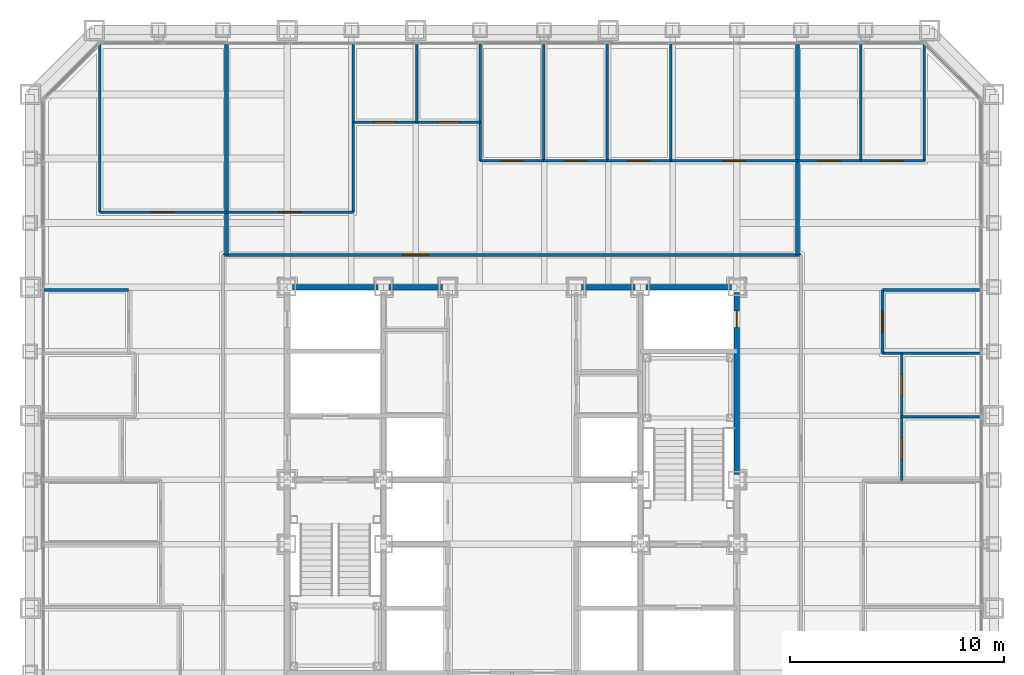
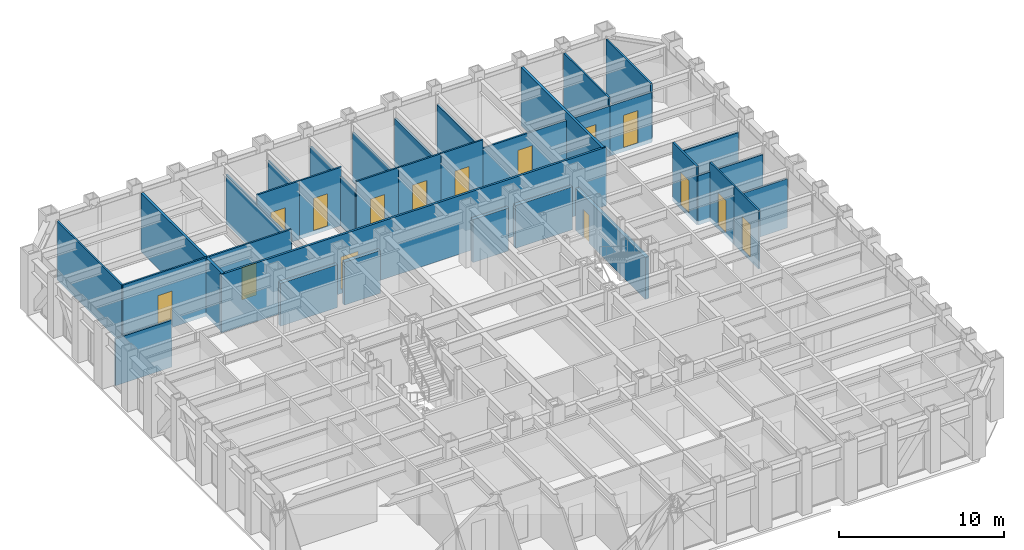
# One storey, part 11 of 16: 34 walls, 15 doors, 15 openings.
"""IFC4 building model written with IfcOpenShell, lengths in metres."""

import ifcopenshell
import ifcopenshell.guid

model = None  # the IFC model being written
_history = None  # IfcOwnerHistory: only IFC2X3 demands one
_inside = {}  # id of a spatial element -> (the spatial element, [elements in it])
_under = {}  # id of a project, library or spatial element -> (it, [spatial elements below it])
_declared = {}  # id of a project -> (the project, [libraries it declares])
_typed = {}  # id of a type object -> (the type object, [elements of that type])
_made_of = {}  # id of a material, layer set ... -> (it, [elements and type objects made of it])


def new_model(schema):
    """Start an empty IFC model of exactly this schema.

    Asked for "IFC4X3", IfcOpenShell would pick the latest addendum, in which some entities
    have other attributes; the version numbers below select the first issue.
    IFC2X3 requires an IfcOwnerHistory on every rooted entity: one is made here for all.
    """
    global model, _history
    if schema == "IFC4X3":
        model = ifcopenshell.file(schema_version=(4, 3, 0, 0))
    else:
        model = ifcopenshell.file(schema=schema)
    _inside.clear()
    _under.clear()
    _declared.clear()
    _typed.clear()
    _made_of.clear()
    _history = None
    if model.schema == "IFC2X3":
        org = make("IfcOrganization", Name="unknown")
        user = make(
            "IfcPersonAndOrganization",
            ThePerson=make("IfcPerson", FamilyName="unknown"),
            TheOrganization=org,
        )
        app = make(
            "IfcApplication",
            ApplicationDeveloper=org,
            Version="unknown",
            ApplicationFullName="unknown",
            ApplicationIdentifier="unknown",
        )
        _history = make(
            "IfcOwnerHistory",
            OwningUser=user,
            OwningApplication=app,
            ChangeAction="ADDED",
            CreationDate=0,
        )
    return model


def make(cls, **values):
    """One entity of the class cls with the attributes given. An attribute that is None is left unset."""
    return model.create_entity(
        cls, **{name: value for name, value in values.items() if value is not None}
    )


def rooted(cls, **values):
    """An entity with a GlobalId (a new one), such as an element, a storey or a relation."""
    return make(cls, GlobalId=ifcopenshell.guid.new(), OwnerHistory=_history, **values)


def si_unit(unit_type, name, prefix=None):
    """IfcSIUnit, for example si_unit("LENGTHUNIT", "METRE", prefix="MILLI")."""
    return make("IfcSIUnit", UnitType=unit_type, Prefix=prefix, Name=name)


def assignment(units):
    """IfcUnitAssignment: the units of a project."""
    return None if units is None else make("IfcUnitAssignment", Units=units)


def point(xyz):
    """IfcCartesianPoint."""
    return None if xyz is None else make("IfcCartesianPoint", Coordinates=xyz)


def direction(xyz):
    """IfcDirection."""
    return None if xyz is None else make("IfcDirection", DirectionRatios=xyz)


def frame(location, z_axis=None, x_axis=None):
    """IfcAxis2Placement3D, a coordinate frame: its origin and axes. An axis left out is left unset."""
    return make(
        "IfcAxis2Placement3D",
        Location=point(location),
        Axis=direction(z_axis),
        RefDirection=direction(x_axis),
    )


def frame_2d(location, x_axis=None):
    """IfcAxis2Placement2D, a coordinate frame in the plane: its origin and x axis."""
    return make(
        "IfcAxis2Placement2D", Location=point(location), RefDirection=direction(x_axis)
    )


def origin():
    """The frame at (0, 0, 0) with its axes left unset."""
    return frame((0.0, 0.0, 0.0))


def place(relative_to, where):
    """IfcLocalPlacement: puts the frame where relative to a parent placement (None: the world)."""
    return make(
        "IfcLocalPlacement", PlacementRelTo=relative_to, RelativePlacement=where
    )


def context(
    kind, dimensions, precision=None, world=None, true_north=None, identifier=None
):
    """IfcGeometricRepresentationContext, for example the 3D "Model" context."""
    return make(
        "IfcGeometricRepresentationContext",
        ContextIdentifier=identifier,
        ContextType=kind,
        CoordinateSpaceDimension=dimensions,
        Precision=precision,
        WorldCoordinateSystem=world,
        TrueNorth=true_north,
    )


def subcontext(parent, identifier, kind, view, scale=None):
    """IfcGeometricRepresentationSubContext, for example "Body" below "Model"."""
    return make(
        "IfcGeometricRepresentationSubContext",
        ContextIdentifier=identifier,
        ContextType=kind,
        ParentContext=parent,
        TargetScale=scale,
        TargetView=view,
    )


def project(units=None, contexts=None):
    """IfcProject with its units and contexts."""
    return rooted(
        "IfcProject",
        Name="project",
        RepresentationContexts=contexts,
        UnitsInContext=assignment(units),
    )


def spatial(cls, under=None, at=None, **own):
    """A site, building, storey or space (cls), placed at a placement, below another one or the project."""
    s = rooted(cls, ObjectPlacement=at, **own)
    if under is not None:
        _under.setdefault(under.id(), (under, []))[1].append(s)
    return s


def profile(cls, at=None, kind="AREA", **sizes):
    """A parametric profile (cls). Its sizes go by their IFC names, for example OverallWidth=200.0."""
    return make(cls, ProfileType=kind, Position=at, **sizes)


def rectangle(**sizes):
    """IfcRectangleProfileDef."""
    return profile("IfcRectangleProfileDef", **sizes)


def extrude(swept, where, along, depth):
    """IfcExtrudedAreaSolid: the profile swept, set in the frame where, extruded along a direction by depth."""
    return make(
        "IfcExtrudedAreaSolid",
        SweptArea=swept,
        Position=where,
        ExtrudedDirection=direction(along),
        Depth=depth,
    )


def shape(context_of_items, identifier, shape_type, items):
    """IfcShapeRepresentation: the items that make up one representation, for example the "Body"."""
    return make(
        "IfcShapeRepresentation",
        ContextOfItems=context_of_items,
        RepresentationIdentifier=identifier,
        RepresentationType=shape_type,
        Items=items,
    )


def material(Name=None, Category=None):
    """IfcMaterial."""
    return make("IfcMaterial", Name=Name, Category=Category)


def layer(
    of_material, thickness, ventilated=None, Name=None, Category=None, Priority=None
):
    """IfcMaterialLayer: one layer of a wall or slab, of a material (None: an air gap)."""
    return make(
        "IfcMaterialLayer",
        Material=of_material,
        LayerThickness=thickness,
        IsVentilated=ventilated,
        Name=Name,
        Category=Category,
        Priority=Priority,
    )


def layer_set(layers, Name=None):
    """IfcMaterialLayerSet."""
    return make("IfcMaterialLayerSet", MaterialLayers=layers, LayerSetName=Name)


def made_of(thing, what):
    """Note that an element or type object is made of a material, layer set ...; save() writes the relation."""
    if what is not None:
        _made_of.setdefault(what.id(), (what, []))[1].append(thing)
    return thing


def type_object(cls, material=None, **own):
    """A type object (cls), such as IfcWallType, which elements share."""
    return made_of(rooted(cls, **own), material)


def element(
    cls,
    number,
    at=None,
    inside=None,
    cuts=None,
    type_object=None,
    material=None,
    context=None,
    identifier="Body",
    shape_type=None,
    held_by="IfcProductDefinitionShape",
    body=None,
    shapes=None,
    **own,
):
    """One element of the class cls, such as IfcWall. Its Tag is "e" and its number.

    at: its placement. inside: the storey or other place that contains it. cuts: it is an
    opening in that element (IfcRelVoidsElement). A single representation is given by context,
    identifier, shape_type and body (its items); several are given by shapes. held_by: the class
    of the entity that holds the representations. save() writes the other relations.
    """
    e = rooted(cls, Tag="e%d" % number, ObjectPlacement=at, **own)
    if body is not None:
        shapes = [shape(context, identifier, shape_type, body)]
    if shapes is not None:
        e.Representation = make(held_by, Representations=shapes)
    if inside is not None:
        _inside.setdefault(inside.id(), (inside, []))[1].append(e)
    if cuts is not None:
        rooted(
            "IfcRelVoidsElement", RelatingBuildingElement=cuts, RelatedOpeningElement=e
        )
    if type_object is not None:
        _typed.setdefault(type_object.id(), (type_object, []))[1].append(e)
    return made_of(e, material)


def fill(opening, filler):
    """IfcRelFillsElement: the door or window that sits in an opening."""
    return rooted(
        "IfcRelFillsElement",
        RelatingOpeningElement=opening,
        RelatedBuildingElement=filler,
    )


def aggregate(whole, parts):
    """IfcRelAggregates: a whole, such as a stair, and the parts it consists of."""
    return rooted("IfcRelAggregates", RelatingObject=whole, RelatedObjects=parts)


def save(model, path):
    """Write the relations noted so far, then the file.

    IfcRelAggregates (storeys below a building ...), IfcRelContainedInSpatialStructure (elements
    in a storey), IfcRelDefinesByType, IfcRelAssociatesMaterial and IfcRelDeclares: one each for
    every whole, place, type object, material and project.
    """
    for whole, parts in _under.values():
        aggregate(whole, parts)
    for where, things in _inside.values():
        rooted(
            "IfcRelContainedInSpatialStructure",
            RelatedElements=things,
            RelatingStructure=where,
        )
    for kind, things in _typed.values():
        rooted("IfcRelDefinesByType", RelatedObjects=things, RelatingType=kind)
    for what, things in _made_of.values():
        rooted("IfcRelAssociatesMaterial", RelatedObjects=things, RelatingMaterial=what)
    for by, libraries in _declared.values():
        rooted("IfcRelDeclares", RelatingContext=by, RelatedDefinitions=libraries)
    model.write(path)


model = new_model("IFC4")

# Units and contexts
model_context = context("Model", 3, precision=1e-05, world=origin(), true_north=direction((0.0, 1.0)))
body_context = subcontext(model_context, "Body", "Model", "MODEL_VIEW")
ifc_project = project(units=[si_unit("LENGTHUNIT", "METRE"), si_unit("AREAUNIT", "SQUARE_METRE"), si_unit("VOLUMEUNIT", "CUBIC_METRE"), si_unit("PLANEANGLEUNIT", "RADIAN"), si_unit("MASSUNIT", "GRAM", prefix="KILO")], contexts=[model_context])

# Site, building, storey
site_placement = place(None, origin())
site = spatial("IfcSite", under=ifc_project, at=site_placement, CompositionType="ELEMENT")
building_placement = place(site_placement, origin())
building = spatial("IfcBuilding", under=site, at=building_placement, Name="Chuquiago Exchange Tower", CompositionType="ELEMENT")
storey_placement = place(building_placement, frame((0.0, 0.0, 78.300048828125)))
storey = spatial("IfcBuildingStorey", under=building, at=storey_placement, Name="L16", CompositionType="ELEMENT", Elevation=78.300048828125)

# Walls
ifc_material_1 = material(Name="Concrete masonry, fully grouted", Category="masonry")
ifc_layer_1 = layer(ifc_material_1, 0.25)
ifc_layer_set_1 = layer_set([ifc_layer_1], Name="W1 core wall 250")
wall_type_1 = type_object("IfcWallType", Name="W1 core wall 250", PredefinedType="SOLIDWALL", material=ifc_layer_set_1)
wall_1_placement = place(storey_placement, frame((12.25, 33.0, 0.0), z_axis=(0.0, 0.0, 1.0), x_axis=(1.0, 0.0, 0.0)))
element("IfcWall", 1, at=wall_1_placement, inside=storey, type_object=wall_type_1, Name="CW-L16-11-0", PredefinedType="SOLIDWALL", context=body_context, shape_type="SweptSolid", body=[
    extrude(rectangle(XDim=4.0, YDim=0.25, at=frame_2d((2.0, 0.0))), origin(), (0.0, 0.0, 1.0), 3.181396484375),
])
for number, where, z_axis, x_axis, name in (
    (2, (16.75, 33.0, 0.0), (0.0, 0.0, 1.0), (1.0, 0.0, 0.0), "CW-L16-11-1"),
    (3, (25.75, 33.0, 0.0), (0.0, 0.0, 1.0), (1.0, 0.0, 0.0), "CW-L16-12-0"),
):
    element("IfcWall", number, at=place(storey_placement, frame(where, z_axis=z_axis, x_axis=x_axis)), inside=storey, type_object=wall_type_1, Name=name, PredefinedType="SOLIDWALL", context=body_context, shape_type="SweptSolid", body=[
        extrude(rectangle(XDim=2.5, YDim=0.25, at=frame_2d((1.25, 0.0))), origin(), (0.0, 0.0, 1.0), 3.181396484375),
    ])
wall_2_placement = place(storey_placement, frame((28.75, 33.0, 0.0), z_axis=(0.0, 0.0, 1.0), x_axis=(1.0, 0.0, 0.0)))
element("IfcWall", 4, at=wall_2_placement, inside=storey, type_object=wall_type_1, Name="CW-L16-12-1", PredefinedType="SOLIDWALL", context=body_context, shape_type="SweptSolid", body=[
    extrude(rectangle(XDim=4.0, YDim=0.25, at=frame_2d((2.0, 0.0))), origin(), (0.0, 0.0, 1.0), 3.181396484375),
])

# Wall, opening, door
wall_3_placement = place(storey_placement, frame((33.0, 24.25, 0.0), z_axis=(0.0, 0.0, 1.0), x_axis=(0.0, 1.0, 0.0)))
wall_3 = element("IfcWall", 5, at=wall_3_placement, inside=storey, type_object=wall_type_1, Name="CW-L16-25-2", PredefinedType="SOLIDWALL", context=body_context, shape_type="SweptSolid", body=[
    extrude(rectangle(XDim=8.5, YDim=0.25, at=frame_2d((4.25, 0.0))), origin(), (0.0, 0.0, 1.0), 3.11279296875),
])
opening_1_placement = place(wall_3_placement, frame((6.875, 0.0, 0.0)))
opening_1 = element("IfcOpeningElement", 6, at=opening_1_placement, cuts=wall_3, Name="Opening L16-010", PredefinedType="OPENING", context=body_context, shape_type="SweptSolid", body=[
    extrude(rectangle(XDim=0.75, YDim=2.10009765625, at=frame_2d((0.375, 1.050048828125))), frame((0.0, 0.135009765625, 0.0), z_axis=(0.0, -1.0, 0.0), x_axis=(1.0, 0.0, 0.0)), (0.0, 0.0, 1.0), 0.27001953125),
])
ifc_material_2 = material(Name="Steel door, painted", Category="steel")
door_type_1 = type_object("IfcDoorType", Name="D6 riser access door 750x2100", OperationType="SINGLE_SWING_LEFT", PredefinedType="DOOR", material=ifc_material_2)
door_1_placement = place(opening_1_placement, frame((0.75, 0.0, 0.0), z_axis=(0.0, 0.0, 1.0), x_axis=(-1.0, 0.0, 0.0)))
door_1 = element("IfcDoor", 7, at=door_1_placement, inside=storey, type_object=door_type_1, Name="Riser RE2 door", OperationType="SINGLE_SWING_LEFT", OverallHeight=2.10009765625, OverallWidth=0.75, PredefinedType="DOOR", context=body_context, shape_type="SweptSolid", body=[
    extrude(rectangle(XDim=0.75, YDim=2.10009765625, at=frame_2d((0.375, 1.050048828125))), frame((0.0, 0.02490234375, 0.0), z_axis=(0.0, -1.0, 0.0), x_axis=(1.0, 0.0, 0.0)), (0.0, 0.0, 1.0), 0.050048828125),
])
fill(opening_1, door_1)

ifc_material_3 = material(Name="Gypsum board on steel studs, acoustic insulation", Category="steel")
ifc_layer_2 = layer(ifc_material_3, 0.14990234375)
ifc_layer_set_2 = layer_set([ifc_layer_2], Name="W11 corridor wall 150")
wall_type_2 = type_object("IfcWallType", Name="W11 corridor wall 150", PredefinedType="PARTITIONING", material=ifc_layer_set_2)
wall_4_placement = place(storey_placement, frame((9.0, 34.5, -0.300048828125), z_axis=(0.0, 0.0, 1.0), x_axis=(1.0, 0.0, 0.0)))
wall_4 = element("IfcWall", 8, at=wall_4_placement, inside=storey, type_object=wall_type_2, Name="PW-L16-CN", PredefinedType="PARTITIONING", context=body_context, shape_type="SweptSolid", body=[
    extrude(rectangle(XDim=27.0, YDim=0.14990234375, at=frame_2d((13.5, 0.0))), origin(), (0.0, 0.0, 1.0), 4.340087890625),
])
opening_2_placement = place(wall_4_placement, frame((8.39990234375, 0.0, 0.300048828125)))
opening_2 = element("IfcOpeningElement", 9, at=opening_2_placement, cuts=wall_4, Name="Opening L16-057", PredefinedType="OPENING", context=body_context, shape_type="SweptSolid", body=[
    extrude(rectangle(XDim=1.199951171875, YDim=2.39990234375, at=frame_2d((0.60009765625, 1.199951171875))), frame((0.0, 0.0849609375, 0.0), z_axis=(0.0, -1.0, 0.0), x_axis=(1.0, 0.0, 0.0)), (0.0, 0.0, 1.0), 0.169921875),
])
ifc_material_4 = material(Name="Timber door, laminate faced", Category="wood")
door_type_2 = type_object("IfcDoorType", Name="D13 suite entrance door 1200x2400", OperationType="SINGLE_SWING_LEFT", PredefinedType="DOOR", material=ifc_material_4)
door_2_placement = place(opening_2_placement, origin())
door_2 = element("IfcDoor", 10, at=door_2_placement, inside=storey, type_object=door_type_2, Name="North suite entrance door", OperationType="SINGLE_SWING_LEFT", OverallHeight=2.39990234375, OverallWidth=1.199951171875, PredefinedType="DOOR", context=body_context, shape_type="SweptSolid", body=[
    extrude(rectangle(XDim=1.199951171875, YDim=2.39990234375, at=frame_2d((0.60009765625, 1.199951171875))), frame((0.0, 0.02490234375, 0.0), z_axis=(0.0, -1.0, 0.0), x_axis=(1.0, 0.0, 0.0)), (0.0, 0.0, 1.0), 0.050048828125),
])
fill(opening_2, door_2)

# Walls
ifc_material_5 = material(Name="Gypsum board on twin steel studs, acoustic insulation", Category="steel")
ifc_layer_3 = layer(ifc_material_5, 0.175048828125)
ifc_layer_set_3 = layer_set([ifc_layer_3], Name="W12 tenant demising wall 175")
wall_type_3 = type_object("IfcWallType", Name="W12 tenant demising wall 175", PredefinedType="PARTITIONING", material=ifc_layer_set_3)
for number, where, z_axis, x_axis, name in (
    (11, (9.172119140625, 44.342529296875, -0.300048828125), (0.0, 0.0, 1.0), (0.0, -1.0, 0.0), "PW-L16-DN00917"),
    (12, (35.827880859375, 44.342529296875, -0.300048828125), (0.0, 0.0, 1.0), (0.0, -1.0, 0.0), "PW-L16-DN03583"),
):
    element("IfcWall", number, at=place(storey_placement, frame(where, z_axis=z_axis, x_axis=x_axis)), inside=storey, type_object=wall_type_3, Name=name, PredefinedType="PARTITIONING", context=body_context, shape_type="SweptSolid", body=[
        extrude(rectangle(XDim=9.842529296875, YDim=0.175048828125, at=frame_2d((4.92138671875, 0.0))), origin(), (0.0, 0.0, 1.0), 4.340087890625),
    ])
ifc_material_6 = material(Name="Gypsum board on steel studs", Category="steel")
ifc_layer_4 = layer(ifc_material_6, 0.1201171875)
ifc_layer_set_4 = layer_set([ifc_layer_4], Name="W4 partition 120")
wall_type_4 = type_object("IfcWallType", Name="W4 partition 120", PredefinedType="PARTITIONING", material=ifc_layer_set_4)
wall_5_placement = place(storey_placement, frame((44.342529296875, 26.942626953125, -0.300048828125), z_axis=(0.0, 0.0, 1.0), x_axis=(-1.0, 0.0, 0.0)))
element("IfcWall", 13, at=wall_5_placement, inside=storey, type_object=wall_type_4, Name="PW-L16-E02694", PredefinedType="PARTITIONING", context=body_context, shape_type="SweptSolid", body=[
    extrude(rectangle(XDim=3.642578125, YDim=0.1201171875, at=frame_2d((1.8212890625, 0.0))), origin(), (0.0, 0.0, 1.0), 3.646484375),
])
wall_6_placement = place(storey_placement, frame((44.342529296875, 29.904296875, -0.300048828125), z_axis=(0.0, 0.0, 1.0), x_axis=(-1.0, 0.0, 0.0)))
element("IfcWall", 14, at=wall_6_placement, inside=storey, type_object=wall_type_4, Name="PW-L16-E02990", PredefinedType="PARTITIONING", context=body_context, shape_type="SweptSolid", body=[
    extrude(rectangle(XDim=4.54248046875, YDim=0.1201171875, at=frame_2d((2.271240234375, 0.0))), origin(), (0.0, 0.0, 1.0), 3.646484375),
])
wall_7_placement = place(storey_placement, frame((44.342529296875, 32.8662109375, -0.300048828125), z_axis=(0.0, 0.0, 1.0), x_axis=(-1.0, 0.0, 0.0)))
element("IfcWall", 15, at=wall_7_placement, inside=storey, type_object=wall_type_4, Name="PW-L16-E03287", PredefinedType="PARTITIONING", context=body_context, shape_type="SweptSolid", body=[
    extrude(rectangle(XDim=4.54248046875, YDim=0.1201171875, at=frame_2d((2.271240234375, 0.0))), origin(), (0.0, 0.0, 1.0), 3.4814453125),
])

# Wall, opening, door
wall_8_placement = place(storey_placement, frame((40.699951171875, 23.98095703125, -0.300048828125), z_axis=(0.0, 0.0, 1.0), x_axis=(0.0, 1.0, 0.0)))
wall_8 = element("IfcWall", 16, at=wall_8_placement, inside=storey, type_object=wall_type_4, Name="PW-L16-EF02398", PredefinedType="PARTITIONING", context=body_context, shape_type="SweptSolid", body=[
    extrude(rectangle(XDim=2.961669921875, YDim=0.1201171875, at=frame_2d((1.48095703125, 0.0))), origin(), (0.0, 0.0, 1.0), 4.340087890625),
])
opening_3_placement = place(wall_8_placement, frame((0.98095703125, 0.0, 0.300048828125)))
opening_3 = element("IfcOpeningElement", 17, at=opening_3_placement, cuts=wall_8, Name="Opening L16-037", PredefinedType="OPENING", context=body_context, shape_type="SweptSolid", body=[
    extrude(rectangle(XDim=1.0, YDim=2.39990234375, at=frame_2d((0.5, 1.199951171875))), frame((0.0, 0.070068359375, 0.0), z_axis=(0.0, -1.0, 0.0), x_axis=(1.0, 0.0, 0.0)), (0.0, 0.0, 1.0), 0.14013671875),
])
ifc_material_7 = material(Name="Timber frame door, full height glazed panel", Category="wood")
door_type_3 = type_object("IfcDoorType", Name="D14 glazed meeting room door 1000x2400", OperationType="SINGLE_SWING_LEFT", PredefinedType="DOOR", material=ifc_material_7)
door_3_placement = place(opening_3_placement, frame((1.0, 0.0, 0.0), z_axis=(0.0, 0.0, 1.0), x_axis=(-1.0, 0.0, 0.0)))
door_3 = element("IfcDoor", 18, at=door_3_placement, inside=storey, type_object=door_type_3, Name="Focus room door", OperationType="SINGLE_SWING_LEFT", OverallHeight=2.39990234375, OverallWidth=1.0, PredefinedType="DOOR", context=body_context, shape_type="SweptSolid", body=[
    extrude(rectangle(XDim=1.0, YDim=2.39990234375, at=frame_2d((0.5, 1.199951171875))), frame((0.0, 0.02490234375, 0.0), z_axis=(0.0, -1.0, 0.0), x_axis=(1.0, 0.0, 0.0)), (0.0, 0.0, 1.0), 0.050048828125),
])
fill(opening_3, door_3)

wall_9_placement = place(storey_placement, frame((40.699951171875, 26.942626953125, -0.300048828125), z_axis=(0.0, 0.0, 1.0), x_axis=(0.0, 1.0, 0.0)))
wall_9 = element("IfcWall", 19, at=wall_9_placement, inside=storey, type_object=wall_type_4, Name="PW-L16-EF02694", PredefinedType="PARTITIONING", context=body_context, shape_type="SweptSolid", body=[
    extrude(rectangle(XDim=2.961669921875, YDim=0.1201171875, at=frame_2d((1.48095703125, 0.0))), origin(), (0.0, 0.0, 1.0), 4.340087890625),
])
opening_4_placement = place(wall_9_placement, frame((0.98095703125, 0.0, 0.300048828125)))
opening_4 = element("IfcOpeningElement", 20, at=opening_4_placement, cuts=wall_9, Name="Opening L16-038", PredefinedType="OPENING", context=body_context, shape_type="SweptSolid", body=[
    extrude(rectangle(XDim=1.0, YDim=2.39990234375, at=frame_2d((0.5, 1.199951171875))), frame((0.0, 0.070068359375, 0.0), z_axis=(0.0, -1.0, 0.0), x_axis=(1.0, 0.0, 0.0)), (0.0, 0.0, 1.0), 0.14013671875),
])
door_4_placement = place(opening_4_placement, frame((1.0, 0.0, 0.0), z_axis=(0.0, 0.0, 1.0), x_axis=(-1.0, 0.0, 0.0)))
door_4 = element("IfcDoor", 21, at=door_4_placement, inside=storey, type_object=door_type_3, Name="Focus room door", OperationType="SINGLE_SWING_RIGHT", OverallHeight=2.39990234375, OverallWidth=1.0, PredefinedType="DOOR", context=body_context, shape_type="SweptSolid", body=[
    extrude(rectangle(XDim=1.0, YDim=2.39990234375, at=frame_2d((0.5, 1.199951171875))), frame((0.0, 0.02490234375, 0.0), z_axis=(0.0, -1.0, 0.0), x_axis=(1.0, 0.0, 0.0)), (0.0, 0.0, 1.0), 0.050048828125),
])
fill(opening_4, door_4)

wall_10_placement = place(storey_placement, frame((39.800048828125, 29.904296875, -0.300048828125), z_axis=(0.0, 0.0, 1.0), x_axis=(0.0, 1.0, 0.0)))
wall_10 = element("IfcWall", 22, at=wall_10_placement, inside=storey, type_object=wall_type_4, Name="PW-L16-EF02990", PredefinedType="PARTITIONING", context=body_context, shape_type="SweptSolid", body=[
    extrude(rectangle(XDim=2.9619140625, YDim=0.1201171875, at=frame_2d((1.48095703125, 0.0))), origin(), (0.0, 0.0, 1.0), 4.340087890625),
])
opening_5_placement = place(wall_10_placement, frame((0.98095703125, 0.0, 0.300048828125)))
opening_5 = element("IfcOpeningElement", 23, at=opening_5_placement, cuts=wall_10, Name="Opening L16-039", PredefinedType="OPENING", context=body_context, shape_type="SweptSolid", body=[
    extrude(rectangle(XDim=1.0, YDim=2.39990234375, at=frame_2d((0.5, 1.199951171875))), frame((0.0, 0.070068359375, 0.0), z_axis=(0.0, -1.0, 0.0), x_axis=(1.0, 0.0, 0.0)), (0.0, 0.0, 1.0), 0.14013671875),
])
ifc_material_8 = material(Name="Timber door, laminate faced", Category="wood")
door_type_4 = type_object("IfcDoorType", Name="D9 room door 1000x2400", OperationType="SINGLE_SWING_LEFT", PredefinedType="DOOR", material=ifc_material_8)
door_5_placement = place(opening_5_placement, frame((1.0, 0.0, 0.0), z_axis=(0.0, 0.0, 1.0), x_axis=(-1.0, 0.0, 0.0)))
door_5 = element("IfcDoor", 24, at=door_5_placement, inside=storey, type_object=door_type_4, Name="Comms room door", OperationType="SINGLE_SWING_RIGHT", OverallHeight=2.39990234375, OverallWidth=1.0, PredefinedType="DOOR", context=body_context, shape_type="SweptSolid", body=[
    extrude(rectangle(XDim=1.0, YDim=2.39990234375, at=frame_2d((0.5, 1.199951171875))), frame((0.0, 0.02490234375, 0.0), z_axis=(0.0, -1.0, 0.0), x_axis=(1.0, 0.0, 0.0)), (0.0, 0.0, 1.0), 0.050048828125),
])
fill(opening_5, door_5)

# Walls
wall_11_placement = place(storey_placement, frame((3.24853515625, 44.333984375, -0.300048828125), z_axis=(0.0, 0.0, 1.0), x_axis=(0.0, -1.0, 0.0)))
element("IfcWall", 25, at=wall_11_placement, inside=storey, type_object=wall_type_4, Name="PW-L16-N00325", PredefinedType="PARTITIONING", context=body_context, shape_type="SweptSolid", body=[
    extrude(rectangle(XDim=7.833984375, YDim=0.1201171875, at=frame_2d((3.9169921875, 0.0))), origin(), (0.0, 0.0, 1.0), 4.340087890625),
])
wall_12_placement = place(storey_placement, frame((15.095703125, 44.342529296875, -0.300048828125), z_axis=(0.0, 0.0, 1.0), x_axis=(0.0, -1.0, 0.0)))
element("IfcWall", 26, at=wall_12_placement, inside=storey, type_object=wall_type_4, Name="PW-L16-N01510", PredefinedType="PARTITIONING", context=body_context, shape_type="SweptSolid", body=[
    extrude(rectangle(XDim=7.842529296875, YDim=0.1201171875, at=frame_2d((3.92138671875, 0.0))), origin(), (0.0, 0.0, 1.0), 3.646484375),
])
wall_13_placement = place(storey_placement, frame((18.057373046875, 44.342529296875, -0.300048828125), z_axis=(0.0, 0.0, 1.0), x_axis=(0.0, -1.0, 0.0)))
element("IfcWall", 27, at=wall_13_placement, inside=storey, type_object=wall_type_4, Name="PW-L16-N01806", PredefinedType="PARTITIONING", context=body_context, shape_type="SweptSolid", body=[
    extrude(rectangle(XDim=3.642578125, YDim=0.1201171875, at=frame_2d((1.8212890625, 0.0))), origin(), (0.0, 0.0, 1.0), 3.646484375),
])
for number, where, z_axis, x_axis, name in (
    (28, (21.01904296875, 44.342529296875, -0.300048828125), (0.0, 0.0, 1.0), (0.0, -1.0, 0.0), "PW-L16-N02102"),
    (29, (23.98095703125, 44.342529296875, -0.300048828125), (0.0, 0.0, 1.0), (0.0, -1.0, 0.0), "PW-L16-N02398"),
    (30, (26.942626953125, 44.342529296875, -0.300048828125), (0.0, 0.0, 1.0), (0.0, -1.0, 0.0), "PW-L16-N02694"),
    (31, (29.904296875, 44.342529296875, -0.300048828125), (0.0, 0.0, 1.0), (0.0, -1.0, 0.0), "PW-L16-N02990"),
):
    element("IfcWall", number, at=place(storey_placement, frame(where, z_axis=z_axis, x_axis=x_axis)), inside=storey, type_object=wall_type_4, Name=name, PredefinedType="PARTITIONING", context=body_context, shape_type="SweptSolid", body=[
        extrude(rectangle(XDim=5.442626953125, YDim=0.1201171875, at=frame_2d((2.72119140625, 0.0))), origin(), (0.0, 0.0, 1.0), 3.646484375),
    ])
wall_14_placement = place(storey_placement, frame((38.789794921875, 44.342529296875, -0.300048828125), z_axis=(0.0, 0.0, 1.0), x_axis=(0.0, -1.0, 0.0)))
element("IfcWall", 32, at=wall_14_placement, inside=storey, type_object=wall_type_4, Name="PW-L16-N03879", PredefinedType="PARTITIONING", context=body_context, shape_type="SweptSolid", body=[
    extrude(rectangle(XDim=5.442626953125, YDim=0.1201171875, at=frame_2d((2.72119140625, 0.0))), origin(), (0.0, 0.0, 1.0), 4.340087890625),
])
wall_15_placement = place(storey_placement, frame((41.75146484375, 44.333984375, -0.300048828125), z_axis=(0.0, 0.0, 1.0), x_axis=(0.0, -1.0, 0.0)))
element("IfcWall", 33, at=wall_15_placement, inside=storey, type_object=wall_type_4, Name="PW-L16-N04175", PredefinedType="PARTITIONING", context=body_context, shape_type="SweptSolid", body=[
    extrude(rectangle(XDim=5.43408203125, YDim=0.1201171875, at=frame_2d((2.717041015625, 0.0))), origin(), (0.0, 0.0, 1.0), 4.340087890625),
])

# Wall, opening, door
wall_16_placement = place(storey_placement, frame((3.24853515625, 36.5, -0.300048828125), z_axis=(0.0, 0.0, 1.0), x_axis=(1.0, 0.0, 0.0)))
wall_16 = element("IfcWall", 34, at=wall_16_placement, inside=storey, type_object=wall_type_4, Name="PW-L16-NF00325", PredefinedType="PARTITIONING", context=body_context, shape_type="SweptSolid", body=[
    extrude(rectangle(XDim=5.923583984375, YDim=0.1201171875, at=frame_2d((2.9619140625, 0.0))), origin(), (0.0, 0.0, 1.0), 4.340087890625),
])
opening_6_placement = place(wall_16_placement, frame((2.4619140625, 0.0, 0.300048828125)))
opening_6 = element("IfcOpeningElement", 35, at=opening_6_placement, cuts=wall_16, Name="Opening L16-040", PredefinedType="OPENING", context=body_context, shape_type="SweptSolid", body=[
    extrude(rectangle(XDim=1.0, YDim=2.39990234375, at=frame_2d((0.5, 1.199951171875))), frame((0.0, 0.070068359375, 0.0), z_axis=(0.0, -1.0, 0.0), x_axis=(1.0, 0.0, 0.0)), (0.0, 0.0, 1.0), 0.14013671875),
])
door_6_placement = place(opening_6_placement, origin())
door_6 = element("IfcDoor", 36, at=door_6_placement, inside=storey, type_object=door_type_4, Name="Settlement office door", OperationType="SINGLE_SWING_RIGHT", OverallHeight=2.39990234375, OverallWidth=1.0, PredefinedType="DOOR", context=body_context, shape_type="SweptSolid", body=[
    extrude(rectangle(XDim=1.0, YDim=2.39990234375, at=frame_2d((0.5, 1.199951171875))), frame((0.0, 0.02490234375, 0.0), z_axis=(0.0, -1.0, 0.0), x_axis=(1.0, 0.0, 0.0)), (0.0, 0.0, 1.0), 0.050048828125),
])
fill(opening_6, door_6)

wall_17_placement = place(storey_placement, frame((9.172119140625, 36.5, -0.300048828125), z_axis=(0.0, 0.0, 1.0), x_axis=(1.0, 0.0, 0.0)))
wall_17 = element("IfcWall", 37, at=wall_17_placement, inside=storey, type_object=wall_type_4, Name="PW-L16-NF00917", PredefinedType="PARTITIONING", context=body_context, shape_type="SweptSolid", body=[
    extrude(rectangle(XDim=5.923583984375, YDim=0.1201171875, at=frame_2d((2.9619140625, 0.0))), origin(), (0.0, 0.0, 1.0), 4.340087890625),
])
opening_7_placement = place(wall_17_placement, frame((2.461669921875, 0.0, 0.300048828125)))
opening_7 = element("IfcOpeningElement", 38, at=opening_7_placement, cuts=wall_17, Name="Opening L16-041", PredefinedType="OPENING", context=body_context, shape_type="SweptSolid", body=[
    extrude(rectangle(XDim=1.0, YDim=2.39990234375, at=frame_2d((0.5, 1.199951171875))), frame((0.0, 0.070068359375, 0.0), z_axis=(0.0, -1.0, 0.0), x_axis=(1.0, 0.0, 0.0)), (0.0, 0.0, 1.0), 0.14013671875),
])
door_7_placement = place(opening_7_placement, origin())
door_7 = element("IfcDoor", 39, at=door_7_placement, inside=storey, type_object=door_type_4, Name="Settlement office door", OperationType="SINGLE_SWING_LEFT", OverallHeight=2.39990234375, OverallWidth=1.0, PredefinedType="DOOR", context=body_context, shape_type="SweptSolid", body=[
    extrude(rectangle(XDim=1.0, YDim=2.39990234375, at=frame_2d((0.5, 1.199951171875))), frame((0.0, 0.02490234375, 0.0), z_axis=(0.0, -1.0, 0.0), x_axis=(1.0, 0.0, 0.0)), (0.0, 0.0, 1.0), 0.050048828125),
])
fill(opening_7, door_7)

wall_18_placement = place(storey_placement, frame((15.095703125, 40.699951171875, -0.300048828125), z_axis=(0.0, 0.0, 1.0), x_axis=(1.0, 0.0, 0.0)))
wall_18 = element("IfcWall", 40, at=wall_18_placement, inside=storey, type_object=wall_type_4, Name="PW-L16-NF01510", PredefinedType="PARTITIONING", context=body_context, shape_type="SweptSolid", body=[
    extrude(rectangle(XDim=2.961669921875, YDim=0.1201171875, at=frame_2d((1.48095703125, 0.0))), origin(), (0.0, 0.0, 1.0), 4.340087890625),
])
opening_8_placement = place(wall_18_placement, frame((0.98095703125, 0.0, 0.300048828125)))
opening_8 = element("IfcOpeningElement", 41, at=opening_8_placement, cuts=wall_18, Name="Opening L16-042", PredefinedType="OPENING", context=body_context, shape_type="SweptSolid", body=[
    extrude(rectangle(XDim=1.0, YDim=2.39990234375, at=frame_2d((0.5, 1.199951171875))), frame((0.0, 0.070068359375, 0.0), z_axis=(0.0, -1.0, 0.0), x_axis=(1.0, 0.0, 0.0)), (0.0, 0.0, 1.0), 0.14013671875),
])
door_8_placement = place(opening_8_placement, origin())
door_8 = element("IfcDoor", 42, at=door_8_placement, inside=storey, type_object=door_type_3, Name="Focus room door", OperationType="SINGLE_SWING_LEFT", OverallHeight=2.39990234375, OverallWidth=1.0, PredefinedType="DOOR", context=body_context, shape_type="SweptSolid", body=[
    extrude(rectangle(XDim=1.0, YDim=2.39990234375, at=frame_2d((0.5, 1.199951171875))), frame((0.0, 0.02490234375, 0.0), z_axis=(0.0, -1.0, 0.0), x_axis=(1.0, 0.0, 0.0)), (0.0, 0.0, 1.0), 0.050048828125),
])
fill(opening_8, door_8)

wall_19_placement = place(storey_placement, frame((18.057373046875, 40.699951171875, -0.300048828125), z_axis=(0.0, 0.0, 1.0), x_axis=(1.0, 0.0, 0.0)))
wall_19 = element("IfcWall", 43, at=wall_19_placement, inside=storey, type_object=wall_type_4, Name="PW-L16-NF01806", PredefinedType="PARTITIONING", context=body_context, shape_type="SweptSolid", body=[
    extrude(rectangle(XDim=2.961669921875, YDim=0.1201171875, at=frame_2d((1.48095703125, 0.0))), origin(), (0.0, 0.0, 1.0), 4.340087890625),
])
opening_9_placement = place(wall_19_placement, frame((0.98095703125, 0.0, 0.300048828125)))
opening_9 = element("IfcOpeningElement", 44, at=opening_9_placement, cuts=wall_19, Name="Opening L16-043", PredefinedType="OPENING", context=body_context, shape_type="SweptSolid", body=[
    extrude(rectangle(XDim=1.0, YDim=2.39990234375, at=frame_2d((0.5, 1.199951171875))), frame((0.0, 0.070068359375, 0.0), z_axis=(0.0, -1.0, 0.0), x_axis=(1.0, 0.0, 0.0)), (0.0, 0.0, 1.0), 0.14013671875),
])
door_9_placement = place(opening_9_placement, origin())
door_9 = element("IfcDoor", 45, at=door_9_placement, inside=storey, type_object=door_type_3, Name="Focus room door", OperationType="SINGLE_SWING_RIGHT", OverallHeight=2.39990234375, OverallWidth=1.0, PredefinedType="DOOR", context=body_context, shape_type="SweptSolid", body=[
    extrude(rectangle(XDim=1.0, YDim=2.39990234375, at=frame_2d((0.5, 1.199951171875))), frame((0.0, 0.02490234375, 0.0), z_axis=(0.0, -1.0, 0.0), x_axis=(1.0, 0.0, 0.0)), (0.0, 0.0, 1.0), 0.050048828125),
])
fill(opening_9, door_9)

wall_20_placement = place(storey_placement, frame((21.01904296875, 38.89990234375, -0.300048828125), z_axis=(0.0, 0.0, 1.0), x_axis=(1.0, 0.0, 0.0)))
wall_20 = element("IfcWall", 46, at=wall_20_placement, inside=storey, type_object=wall_type_4, Name="PW-L16-NF02102", PredefinedType="PARTITIONING", context=body_context, shape_type="SweptSolid", body=[
    extrude(rectangle(XDim=2.9619140625, YDim=0.1201171875, at=frame_2d((1.48095703125, 0.0))), origin(), (0.0, 0.0, 1.0), 4.340087890625),
])
opening_10_placement = place(wall_20_placement, frame((0.98095703125, 0.0, 0.300048828125)))
opening_10 = element("IfcOpeningElement", 47, at=opening_10_placement, cuts=wall_20, Name="Opening L16-044", PredefinedType="OPENING", context=body_context, shape_type="SweptSolid", body=[
    extrude(rectangle(XDim=1.0, YDim=2.39990234375, at=frame_2d((0.5, 1.199951171875))), frame((0.0, 0.070068359375, 0.0), z_axis=(0.0, -1.0, 0.0), x_axis=(1.0, 0.0, 0.0)), (0.0, 0.0, 1.0), 0.14013671875),
])
door_10_placement = place(opening_10_placement, origin())
door_10 = element("IfcDoor", 48, at=door_10_placement, inside=storey, type_object=door_type_4, Name="Office door", OperationType="SINGLE_SWING_RIGHT", OverallHeight=2.39990234375, OverallWidth=1.0, PredefinedType="DOOR", context=body_context, shape_type="SweptSolid", body=[
    extrude(rectangle(XDim=1.0, YDim=2.39990234375, at=frame_2d((0.5, 1.199951171875))), frame((0.0, 0.02490234375, 0.0), z_axis=(0.0, -1.0, 0.0), x_axis=(1.0, 0.0, 0.0)), (0.0, 0.0, 1.0), 0.050048828125),
])
fill(opening_10, door_10)

wall_21_placement = place(storey_placement, frame((23.98095703125, 38.89990234375, -0.300048828125), z_axis=(0.0, 0.0, 1.0), x_axis=(1.0, 0.0, 0.0)))
wall_21 = element("IfcWall", 49, at=wall_21_placement, inside=storey, type_object=wall_type_4, Name="PW-L16-NF02398", PredefinedType="PARTITIONING", context=body_context, shape_type="SweptSolid", body=[
    extrude(rectangle(XDim=2.961669921875, YDim=0.1201171875, at=frame_2d((1.48095703125, 0.0))), origin(), (0.0, 0.0, 1.0), 4.340087890625),
])
opening_11_placement = place(wall_21_placement, frame((0.98095703125, 0.0, 0.300048828125)))
opening_11 = element("IfcOpeningElement", 50, at=opening_11_placement, cuts=wall_21, Name="Opening L16-045", PredefinedType="OPENING", context=body_context, shape_type="SweptSolid", body=[
    extrude(rectangle(XDim=1.0, YDim=2.39990234375, at=frame_2d((0.5, 1.199951171875))), frame((0.0, 0.070068359375, 0.0), z_axis=(0.0, -1.0, 0.0), x_axis=(1.0, 0.0, 0.0)), (0.0, 0.0, 1.0), 0.14013671875),
])
door_11_placement = place(opening_11_placement, origin())
door_11 = element("IfcDoor", 51, at=door_11_placement, inside=storey, type_object=door_type_4, Name="Office door", OperationType="SINGLE_SWING_RIGHT", OverallHeight=2.39990234375, OverallWidth=1.0, PredefinedType="DOOR", context=body_context, shape_type="SweptSolid", body=[
    extrude(rectangle(XDim=1.0, YDim=2.39990234375, at=frame_2d((0.5, 1.199951171875))), frame((0.0, 0.02490234375, 0.0), z_axis=(0.0, -1.0, 0.0), x_axis=(1.0, 0.0, 0.0)), (0.0, 0.0, 1.0), 0.050048828125),
])
fill(opening_11, door_11)

wall_22_placement = place(storey_placement, frame((26.942626953125, 38.89990234375, -0.300048828125), z_axis=(0.0, 0.0, 1.0), x_axis=(1.0, 0.0, 0.0)))
wall_22 = element("IfcWall", 52, at=wall_22_placement, inside=storey, type_object=wall_type_4, Name="PW-L16-NF02694", PredefinedType="PARTITIONING", context=body_context, shape_type="SweptSolid", body=[
    extrude(rectangle(XDim=2.961669921875, YDim=0.1201171875, at=frame_2d((1.48095703125, 0.0))), origin(), (0.0, 0.0, 1.0), 4.340087890625),
])
opening_12_placement = place(wall_22_placement, frame((0.98095703125, 0.0, 0.300048828125)))
opening_12 = element("IfcOpeningElement", 53, at=opening_12_placement, cuts=wall_22, Name="Opening L16-046", PredefinedType="OPENING", context=body_context, shape_type="SweptSolid", body=[
    extrude(rectangle(XDim=1.0, YDim=2.39990234375, at=frame_2d((0.5, 1.199951171875))), frame((0.0, 0.070068359375, 0.0), z_axis=(0.0, -1.0, 0.0), x_axis=(1.0, 0.0, 0.0)), (0.0, 0.0, 1.0), 0.14013671875),
])
door_12_placement = place(opening_12_placement, origin())
door_12 = element("IfcDoor", 54, at=door_12_placement, inside=storey, type_object=door_type_4, Name="Office door", OperationType="SINGLE_SWING_LEFT", OverallHeight=2.39990234375, OverallWidth=1.0, PredefinedType="DOOR", context=body_context, shape_type="SweptSolid", body=[
    extrude(rectangle(XDim=1.0, YDim=2.39990234375, at=frame_2d((0.5, 1.199951171875))), frame((0.0, 0.02490234375, 0.0), z_axis=(0.0, -1.0, 0.0), x_axis=(1.0, 0.0, 0.0)), (0.0, 0.0, 1.0), 0.050048828125),
])
fill(opening_12, door_12)

wall_23_placement = place(storey_placement, frame((29.904296875, 38.89990234375, -0.300048828125), z_axis=(0.0, 0.0, 1.0), x_axis=(1.0, 0.0, 0.0)))
wall_23 = element("IfcWall", 55, at=wall_23_placement, inside=storey, type_object=wall_type_4, Name="PW-L16-NF02990", PredefinedType="PARTITIONING", context=body_context, shape_type="SweptSolid", body=[
    extrude(rectangle(XDim=5.923583984375, YDim=0.1201171875, at=frame_2d((2.9619140625, 0.0))), origin(), (0.0, 0.0, 1.0), 3.722900390625),
])
opening_13_placement = place(wall_23_placement, frame((2.4619140625, 0.0, 0.300048828125)))
opening_13 = element("IfcOpeningElement", 56, at=opening_13_placement, cuts=wall_23, Name="Opening L16-047", PredefinedType="OPENING", context=body_context, shape_type="SweptSolid", body=[
    extrude(rectangle(XDim=1.0, YDim=2.39990234375, at=frame_2d((0.5, 1.199951171875))), frame((0.0, 0.070068359375, 0.0), z_axis=(0.0, -1.0, 0.0), x_axis=(1.0, 0.0, 0.0)), (0.0, 0.0, 1.0), 0.14013671875),
])
door_13_placement = place(opening_13_placement, origin())
door_13 = element("IfcDoor", 57, at=door_13_placement, inside=storey, type_object=door_type_3, Name="Meeting room door", OperationType="SINGLE_SWING_RIGHT", OverallHeight=2.39990234375, OverallWidth=1.0, PredefinedType="DOOR", context=body_context, shape_type="SweptSolid", body=[
    extrude(rectangle(XDim=1.0, YDim=2.39990234375, at=frame_2d((0.5, 1.199951171875))), frame((0.0, 0.02490234375, 0.0), z_axis=(0.0, -1.0, 0.0), x_axis=(1.0, 0.0, 0.0)), (0.0, 0.0, 1.0), 0.050048828125),
])
fill(opening_13, door_13)

wall_24_placement = place(storey_placement, frame((35.827880859375, 38.89990234375, -0.300048828125), z_axis=(0.0, 0.0, 1.0), x_axis=(1.0, 0.0, 0.0)))
wall_24 = element("IfcWall", 58, at=wall_24_placement, inside=storey, type_object=wall_type_4, Name="PW-L16-NF03583", PredefinedType="PARTITIONING", context=body_context, shape_type="SweptSolid", body=[
    extrude(rectangle(XDim=2.9619140625, YDim=0.1201171875, at=frame_2d((1.48095703125, 0.0))), origin(), (0.0, 0.0, 1.0), 3.722900390625),
])
opening_14_placement = place(wall_24_placement, frame((0.98095703125, 0.0, 0.300048828125)))
opening_14 = element("IfcOpeningElement", 59, at=opening_14_placement, cuts=wall_24, Name="Opening L16-048", PredefinedType="OPENING", context=body_context, shape_type="SweptSolid", body=[
    extrude(rectangle(XDim=1.0, YDim=2.39990234375, at=frame_2d((0.5, 1.199951171875))), frame((0.0, 0.070068359375, 0.0), z_axis=(0.0, -1.0, 0.0), x_axis=(1.0, 0.0, 0.0)), (0.0, 0.0, 1.0), 0.14013671875),
])
door_14_placement = place(opening_14_placement, origin())
door_14 = element("IfcDoor", 60, at=door_14_placement, inside=storey, type_object=door_type_4, Name="Office door", OperationType="SINGLE_SWING_LEFT", OverallHeight=2.39990234375, OverallWidth=1.0, PredefinedType="DOOR", context=body_context, shape_type="SweptSolid", body=[
    extrude(rectangle(XDim=1.0, YDim=2.39990234375, at=frame_2d((0.5, 1.199951171875))), frame((0.0, 0.02490234375, 0.0), z_axis=(0.0, -1.0, 0.0), x_axis=(1.0, 0.0, 0.0)), (0.0, 0.0, 1.0), 0.050048828125),
])
fill(opening_14, door_14)

wall_25_placement = place(storey_placement, frame((38.789794921875, 38.89990234375, -0.300048828125), z_axis=(0.0, 0.0, 1.0), x_axis=(1.0, 0.0, 0.0)))
wall_25 = element("IfcWall", 61, at=wall_25_placement, inside=storey, type_object=wall_type_4, Name="PW-L16-NF03879", PredefinedType="PARTITIONING", context=body_context, shape_type="SweptSolid", body=[
    extrude(rectangle(XDim=2.961669921875, YDim=0.1201171875, at=frame_2d((1.48095703125, 0.0))), origin(), (0.0, 0.0, 1.0), 3.722900390625),
])
opening_15_placement = place(wall_25_placement, frame((0.98095703125, 0.0, 0.300048828125)))
opening_15 = element("IfcOpeningElement", 62, at=opening_15_placement, cuts=wall_25, Name="Opening L16-049", PredefinedType="OPENING", context=body_context, shape_type="SweptSolid", body=[
    extrude(rectangle(XDim=1.0, YDim=2.39990234375, at=frame_2d((0.5, 1.199951171875))), frame((0.0, 0.070068359375, 0.0), z_axis=(0.0, -1.0, 0.0), x_axis=(1.0, 0.0, 0.0)), (0.0, 0.0, 1.0), 0.14013671875),
])
door_15_placement = place(opening_15_placement, origin())
door_15 = element("IfcDoor", 63, at=door_15_placement, inside=storey, type_object=door_type_4, Name="Office door", OperationType="SINGLE_SWING_RIGHT", OverallHeight=2.39990234375, OverallWidth=1.0, PredefinedType="DOOR", context=body_context, shape_type="SweptSolid", body=[
    extrude(rectangle(XDim=1.0, YDim=2.39990234375, at=frame_2d((0.5, 1.199951171875))), frame((0.0, 0.02490234375, 0.0), z_axis=(0.0, -1.0, 0.0), x_axis=(1.0, 0.0, 0.0)), (0.0, 0.0, 1.0), 0.050048828125),
])
fill(opening_15, door_15)

# Wall
wall_26_placement = place(storey_placement, frame((0.657470703125, 32.8662109375, -0.300048828125), z_axis=(0.0, 0.0, 1.0), x_axis=(1.0, 0.0, 0.0)))
element("IfcWall", 64, at=wall_26_placement, inside=storey, type_object=wall_type_4, Name="PW-L16-W03287", PredefinedType="PARTITIONING", context=body_context, shape_type="SweptSolid", body=[
    extrude(rectangle(XDim=3.942626953125, YDim=0.1201171875, at=frame_2d((1.97119140625, 0.0))), origin(), (0.0, 0.0, 1.0), 3.4814453125),
])

save(model, "model.ifc")
